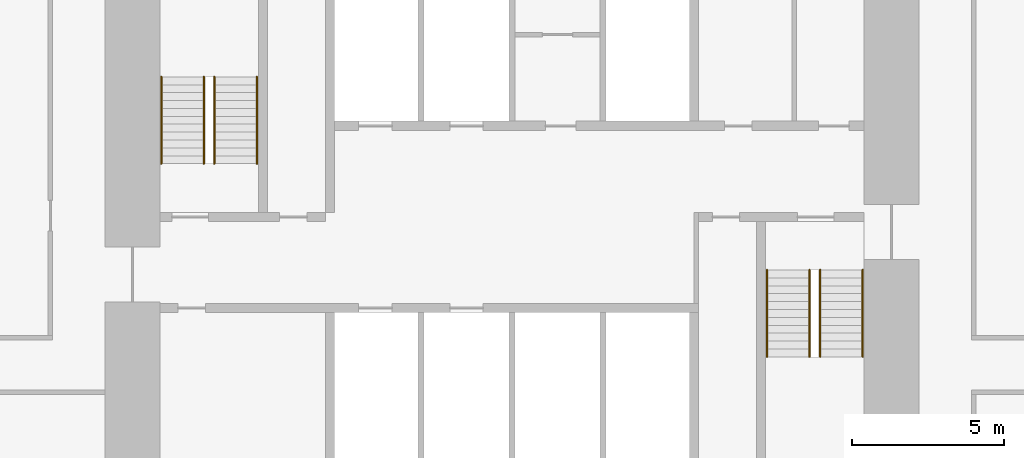
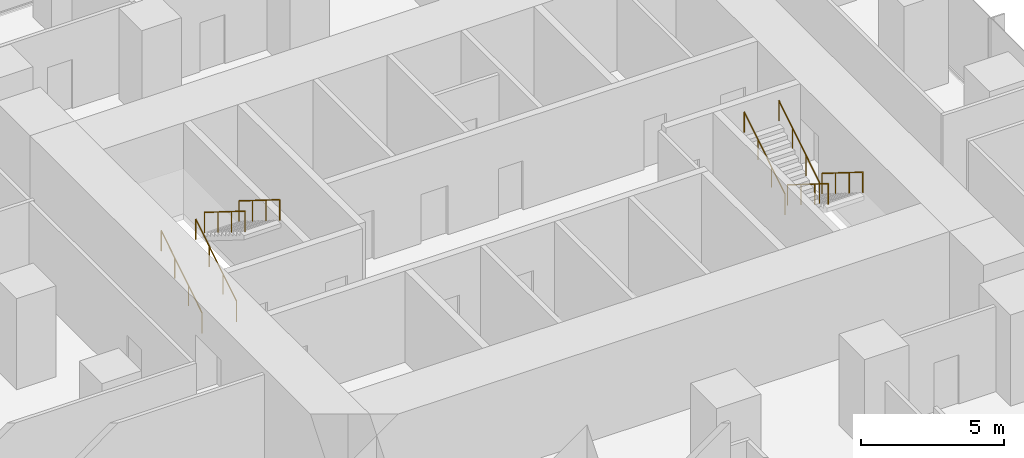
# One storey, part 11 of 11: 8 railings.
"""IFC4 building model written with IfcOpenShell, lengths in metres."""

from ifc_helpers import new_model, si_unit, direction, frame, origin, origin_2d, place, context, subcontext, project, spatial, circle, extrude, material, type_object, element, save


model = new_model("IFC4")

# Units and contexts
model_context = context("Model", 3, precision=1e-05, world=origin(), true_north=direction((0.0, 1.0)))
body_context = subcontext(model_context, "Body", "Model", "MODEL_VIEW")
ifc_project = project(units=[si_unit("LENGTHUNIT", "METRE"), si_unit("AREAUNIT", "SQUARE_METRE"), si_unit("VOLUMEUNIT", "CUBIC_METRE"), si_unit("PLANEANGLEUNIT", "RADIAN"), si_unit("MASSUNIT", "GRAM", prefix="KILO")], contexts=[model_context])

# Site, building, storey
site_placement = place(None, origin())
site = spatial("IfcSite", under=ifc_project, at=site_placement, CompositionType="ELEMENT")
building_placement = place(site_placement, origin())
building = spatial("IfcBuilding", under=site, at=building_placement, Name="Highveld Stack Headquarters", CompositionType="ELEMENT")
storey_placement = place(building_placement, frame((0.0, 0.0, 128.89990234375)))
storey = spatial("IfcBuildingStorey", under=building, at=storey_placement, Name="L31", CompositionType="ELEMENT", Elevation=128.89990234375)

# Railings
ifc_material = material(Name="Stainless steel handrail", Category="steel")
railing_type = type_object("IfcRailingType", Name="STAIR HANDRAIL HR1 900", PredefinedType="HANDRAIL", material=ifc_material)
for number, where, name in (
    (1, (-5.550048828125, 4.75, 0.16259765625), "Handrail S1 L31 flight 1"),
    (2, (-4.14990234375, 4.75, 0.16259765625), "Handrail S1 L31 flight 1"),
):
    element("IfcRailing", number, at=place(storey_placement, frame(where)), inside=storey, type_object=railing_type, Name=name, PredefinedType="HANDRAIL", context=body_context, shape_type="SweptSolid", body=[
        extrude(circle(Radius=0.02392578125, at=origin_2d()), frame((0.0, 0.0, 0.8759765625), z_axis=(0.0, 0.847994237388, 0.530005446535), x_axis=(-1.0, 0.0, 0.0)), (0.0, 0.0, 1.0), 3.372802734375),
        extrude(circle(Radius=0.02099609375, at=origin_2d()), origin(), (0.0, 0.0, 1.0), 0.851806640625),
        extrude(circle(Radius=0.02099609375, at=origin_2d()), frame((0.0, 0.953369140625, 0.595947265625)), (0.0, 0.0, 1.0), 0.851806640625),
        extrude(circle(Radius=0.02099609375, at=origin_2d()), frame((0.0, 1.90673828125, 1.191650390625)), (0.0, 0.0, 1.0), 0.851806640625),
        extrude(circle(Radius=0.02099609375, at=origin_2d()), frame((0.0, 2.860107421875, 1.78759765625)), (0.0, 0.0, 1.0), 0.851806640625),
    ])
for number, where, name in (
    (3, (-3.800048828125, 7.610107421875, 2.112548828125), "Handrail S1 L31 flight 2"),
    (4, (-2.39990234375, 7.610107421875, 2.112548828125), "Handrail S1 L31 flight 2"),
    (5, (16.14990234375, 1.25, 0.16259765625), "Handrail S2 L31 flight 1"),
    (6, (17.550048828125, 1.25, 0.16259765625), "Handrail S2 L31 flight 1"),
):
    element("IfcRailing", number, at=place(storey_placement, frame(where)), inside=storey, type_object=railing_type, Name=name, PredefinedType="HANDRAIL", context=body_context, shape_type="SweptSolid", body=[
        extrude(circle(Radius=0.02392578125, at=origin_2d()), frame((0.0, 0.0, 0.8759765625), z_axis=(0.0, -0.847994237388, 0.530005446535), x_axis=(1.0, 0.0, 0.0)), (0.0, 0.0, 1.0), 3.372802734375),
        extrude(circle(Radius=0.02099609375, at=origin_2d()), origin(), (0.0, 0.0, 1.0), 0.851806640625),
        extrude(circle(Radius=0.02099609375, at=origin_2d()), frame((0.0, -0.953369140625, 0.595947265625)), (0.0, 0.0, 1.0), 0.851806640625),
        extrude(circle(Radius=0.02099609375, at=origin_2d()), frame((0.0, -1.90673828125, 1.191650390625)), (0.0, 0.0, 1.0), 0.851806640625),
        extrude(circle(Radius=0.02099609375, at=origin_2d()), frame((0.0, -2.860107421875, 1.78759765625)), (0.0, 0.0, 1.0), 0.851806640625),
    ])
for number, where, name in (
    (7, (14.39990234375, -1.610107421875, 2.112548828125), "Handrail S2 L31 flight 2"),
    (8, (15.800048828125, -1.610107421875, 2.112548828125), "Handrail S2 L31 flight 2"),
):
    element("IfcRailing", number, at=place(storey_placement, frame(where)), inside=storey, type_object=railing_type, Name=name, PredefinedType="HANDRAIL", context=body_context, shape_type="SweptSolid", body=[
        extrude(circle(Radius=0.02392578125, at=origin_2d()), frame((0.0, 0.0, 0.8759765625), z_axis=(0.0, 0.847994237388, 0.530005446535), x_axis=(-1.0, 0.0, 0.0)), (0.0, 0.0, 1.0), 3.372802734375),
        extrude(circle(Radius=0.02099609375, at=origin_2d()), origin(), (0.0, 0.0, 1.0), 0.851806640625),
        extrude(circle(Radius=0.02099609375, at=origin_2d()), frame((0.0, 0.953369140625, 0.595947265625)), (0.0, 0.0, 1.0), 0.851806640625),
        extrude(circle(Radius=0.02099609375, at=origin_2d()), frame((0.0, 1.90673828125, 1.191650390625)), (0.0, 0.0, 1.0), 0.851806640625),
        extrude(circle(Radius=0.02099609375, at=origin_2d()), frame((0.0, 2.860107421875, 1.78759765625)), (0.0, 0.0, 1.0), 0.851806640625),
    ])

save(model, "model.ifc")
